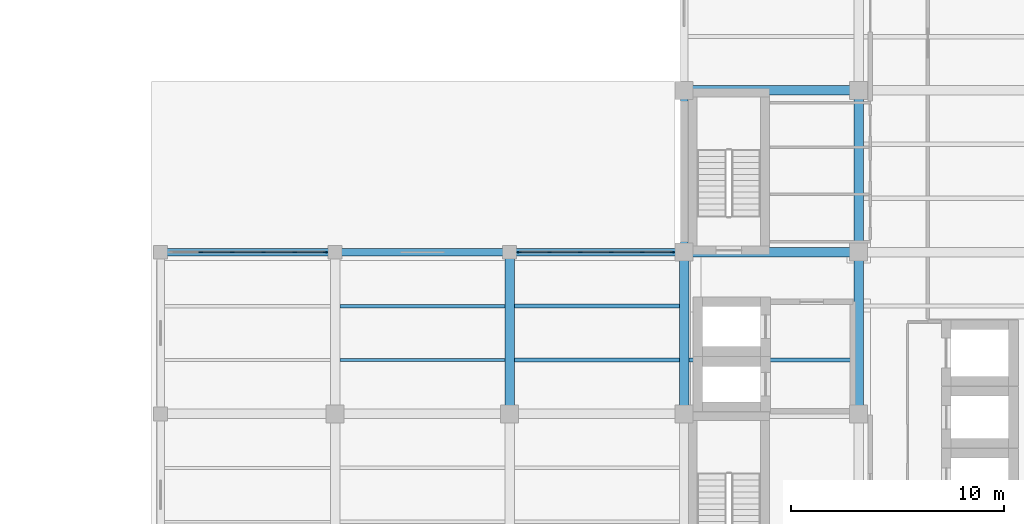
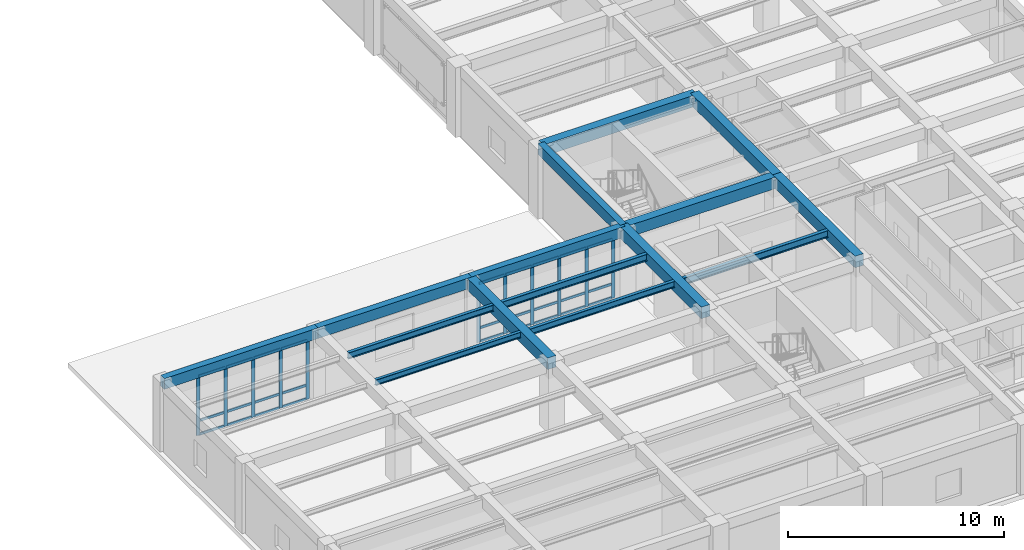
# One storey, part 4 of 22: 38 members, 15 beams, 2 elements without a shape of their own.
"""IFC4 building model written with IfcOpenShell, lengths in metres."""

from ifc_helpers import new_model, si_unit, direction, frame, origin, origin_2d, place, context, subcontext, project, spatial, rectangle, i_section, extrude, material, material_profile, profile_set, type_object, element, aggregate, save


model = new_model("IFC4")

# Units and contexts
model_context = context("Model", 3, precision=1e-05, world=origin(), true_north=direction((0.0, 1.0)))
body_context = subcontext(model_context, "Body", "Model", "MODEL_VIEW")
ifc_project = project(units=[si_unit("LENGTHUNIT", "METRE"), si_unit("AREAUNIT", "SQUARE_METRE"), si_unit("VOLUMEUNIT", "CUBIC_METRE"), si_unit("PLANEANGLEUNIT", "RADIAN"), si_unit("MASSUNIT", "GRAM", prefix="KILO")], contexts=[model_context])

# Site, building, storey
site_placement = place(None, origin())
site = spatial("IfcSite", under=ifc_project, at=site_placement, CompositionType="ELEMENT")
building_placement = place(site_placement, origin())
building = spatial("IfcBuilding", under=site, at=building_placement, Name="Qandaris Square Conservatory and Botanical Centre", CompositionType="ELEMENT")
storey_placement = place(building_placement, frame((0.0, 0.0, 19.800048828125)))
storey = spatial("IfcBuildingStorey", under=building, at=storey_placement, Name="L04", CompositionType="ELEMENT", Elevation=19.800048828125)

# Beams
ifc_material_1 = material(Name="Steel S355", Category="steel")
ifc_material_profile_1 = material_profile(ifc_material_1, i_section(OverallWidth=0.159912109375, OverallDepth=0.330078125, WebThickness=0.007568359375, FlangeThickness=0.011474609375, FilletRadius=0.01806640625, at=origin_2d()), Name="IPE 330")
ifc_profile_set_1 = profile_set([ifc_material_profile_1], Name="Steel S355")
beam_type_1 = type_object("IfcBeamType", Name="Composite Lab Joist IPE 330", PredefinedType="JOIST", material=ifc_profile_set_1)
beam_1_placement = place(storey_placement, frame((123.02490234375, 34.333251953125, 3.764892578125), z_axis=(1.0, 0.0, 0.0), x_axis=(0.0, 1.0, 0.0)))
element("IfcBeam", 1, at=beam_1_placement, inside=storey, type_object=beam_type_1, Name="L04 Composite Joist 1777", PredefinedType="JOIST", context=body_context, shape_type="SweptSolid", body=[
    extrude(i_section(OverallWidth=0.159912109375, OverallDepth=0.330078125, WebThickness=0.007568359375, FlangeThickness=0.011474609375, FilletRadius=0.01806640625, at=origin_2d()), origin(), (0.0, 0.0, 1.0), 7.75),
])
ifc_material_profile_2 = material_profile(ifc_material_1, i_section(OverallWidth=0.169921875, OverallDepth=0.360107421875, WebThickness=0.008056640625, FlangeThickness=0.0126953125, FilletRadius=0.01806640625, at=origin_2d()), Name="IPE 360")
ifc_profile_set_2 = profile_set([ifc_material_profile_2], Name="Steel S355")
beam_type_2 = type_object("IfcBeamType", Name="Composite Lab Joist IPE 360", PredefinedType="JOIST", material=ifc_profile_set_2)
for number, where, z_axis, x_axis, name in (
    (2, (123.02490234375, 36.86669921875, 3.75), (1.0, 0.0, 0.0), (0.0, 1.0, 0.0), "L04 Composite Joist 1778"),
    (3, (131.22509765625, 34.333251953125, 3.75), (1.0, 0.0, 0.0), (0.0, 1.0, 0.0), "L04 Composite Joist 1783"),
):
    element("IfcBeam", number, at=place(storey_placement, frame(where, z_axis=z_axis, x_axis=x_axis)), inside=storey, type_object=beam_type_2, Name=name, PredefinedType="JOIST", context=body_context, shape_type="SweptSolid", body=[
        extrude(i_section(OverallWidth=0.169921875, OverallDepth=0.360107421875, WebThickness=0.008056640625, FlangeThickness=0.0126953125, FilletRadius=0.01806640625, at=origin_2d()), origin(), (0.0, 0.0, 1.0), 7.75),
    ])
ifc_material_profile_3 = material_profile(ifc_material_1, i_section(OverallWidth=0.179931640625, OverallDepth=0.39990234375, WebThickness=0.008544921875, FlangeThickness=0.013427734375, FilletRadius=0.02099609375, at=origin_2d()), Name="IPE 400")
ifc_profile_set_3 = profile_set([ifc_material_profile_3], Name="Steel S355")
beam_type_3 = type_object("IfcBeamType", Name="Composite Plinth Joist IPE 400", PredefinedType="JOIST", material=ifc_profile_set_3)
for number, where, z_axis, x_axis, name in (
    (4, (131.22509765625, 36.86669921875, 3.72998046875), (1.0, 0.0, 0.0), (0.0, 1.0, 0.0), "L04 Composite Joist 1784"),
    (5, (139.425048828125, 34.333251953125, 3.72998046875), (1.0, 0.0, 0.0), (0.0, 1.0, 0.0), "L04 Composite Joist 1787"),
):
    element("IfcBeam", number, at=place(storey_placement, frame(where, z_axis=z_axis, x_axis=x_axis)), inside=storey, type_object=beam_type_3, Name=name, PredefinedType="JOIST", context=body_context, shape_type="SweptSolid", body=[
        extrude(i_section(OverallWidth=0.179931640625, OverallDepth=0.39990234375, WebThickness=0.008544921875, FlangeThickness=0.013427734375, FilletRadius=0.02099609375, at=origin_2d()), origin(), (0.0, 0.0, 1.0), 7.75),
    ])

# Curtain wall, members
ifc_material_2 = material(Name="Anodised Aluminium", Category="aluminium")
curtain_wall_type_1 = type_object("IfcCurtainWallType", Name="Unitised Curtain Wall CW-4-725x334", PredefinedType="USERDEFINED", material=ifc_material_2)
curtain_wall_1_placement = place(storey_placement, origin())
curtain_wall_1 = element("IfcCurtainWall", 6, at=curtain_wall_1_placement, inside=storey, type_object=curtain_wall_type_1, Name="Curtain Wall CW-TWR-L04-5-1", ObjectType="GLAZED CURTAIN WALL", PredefinedType="USERDEFINED")
ifc_material_profile_4 = material_profile(ifc_material_2, rectangle(XDim=0.06494140625, YDim=0.179931640625, at=origin_2d()), Name="ALU-MUL 65x180")
ifc_profile_set_4 = profile_set([ifc_material_profile_4], Name="Anodised Aluminium")
member_type_1 = type_object("IfcMemberType", Name="Curtain Wall Mullion 65x180", PredefinedType="MULLION", material=ifc_profile_set_4)
member_1_placement = place(storey_placement, frame((138.642578125, 39.39990234375, 0.0), z_axis=(0.0, 0.0, 1.0), x_axis=(0.0, -1.0, 0.0)))
member_1 = element("IfcMember", 7, at=member_1_placement, type_object=member_type_1, Name="CW-4-725x334 mullion 1", PredefinedType="MULLION", context=body_context, shape_type="SweptSolid", body=[
    extrude(rectangle(XDim=0.06494140625, YDim=0.179931640625, at=origin_2d()), origin(), (0.0, 0.0, 1.0), 3.33984375),
])
member_2_placement = place(storey_placement, frame((137.22509765625, 39.39990234375, 0.0), z_axis=(0.0, 0.0, 1.0), x_axis=(0.0, -1.0, 0.0)))
member_2 = element("IfcMember", 8, at=member_2_placement, type_object=member_type_1, Name="CW-4-725x334 mullion 2", PredefinedType="MULLION", context=body_context, shape_type="SweptSolid", body=[
    extrude(rectangle(XDim=0.06494140625, YDim=0.179931640625, at=origin_2d()), origin(), (0.0, 0.0, 1.0), 3.33984375),
])
member_3_placement = place(storey_placement, frame((135.77490234375, 39.39990234375, 0.0), z_axis=(0.0, 0.0, 1.0), x_axis=(0.0, -1.0, 0.0)))
member_3 = element("IfcMember", 9, at=member_3_placement, type_object=member_type_1, Name="CW-4-725x334 mullion 3", PredefinedType="MULLION", context=body_context, shape_type="SweptSolid", body=[
    extrude(rectangle(XDim=0.06494140625, YDim=0.179931640625, at=origin_2d()), origin(), (0.0, 0.0, 1.0), 3.33984375),
])
member_4_placement = place(storey_placement, frame((134.324951171875, 39.39990234375, 0.0), z_axis=(0.0, 0.0, 1.0), x_axis=(0.0, -1.0, 0.0)))
member_4 = element("IfcMember", 10, at=member_4_placement, type_object=member_type_1, Name="CW-4-725x334 mullion 4", PredefinedType="MULLION", context=body_context, shape_type="SweptSolid", body=[
    extrude(rectangle(XDim=0.06494140625, YDim=0.179931640625, at=origin_2d()), origin(), (0.0, 0.0, 1.0), 3.33984375),
])
member_5_placement = place(storey_placement, frame((132.875, 39.39990234375, 0.0), z_axis=(0.0, 0.0, 1.0), x_axis=(0.0, -1.0, 0.0)))
member_5 = element("IfcMember", 11, at=member_5_placement, type_object=member_type_1, Name="CW-4-725x334 mullion 5", PredefinedType="MULLION", context=body_context, shape_type="SweptSolid", body=[
    extrude(rectangle(XDim=0.06494140625, YDim=0.179931640625, at=origin_2d()), origin(), (0.0, 0.0, 1.0), 3.33984375),
])
member_6_placement = place(storey_placement, frame((131.45751953125, 39.39990234375, 0.0), z_axis=(0.0, 0.0, 1.0), x_axis=(0.0, -1.0, 0.0)))
member_6 = element("IfcMember", 12, at=member_6_placement, type_object=member_type_1, Name="CW-4-725x334 mullion 6", PredefinedType="MULLION", context=body_context, shape_type="SweptSolid", body=[
    extrude(rectangle(XDim=0.06494140625, YDim=0.179931640625, at=origin_2d()), origin(), (0.0, 0.0, 1.0), 3.33984375),
])

curtain_wall_type_2 = type_object("IfcCurtainWallType", Name="Unitised Curtain Wall CW-4-735x334", PredefinedType="USERDEFINED", material=ifc_material_2)
curtain_wall_2_placement = place(storey_placement, origin())
curtain_wall_2 = element("IfcCurtainWall", 13, at=curtain_wall_2_placement, inside=storey, type_object=curtain_wall_type_2, Name="Curtain Wall CW-TWR-L04-5-3", ObjectType="GLAZED CURTAIN WALL", PredefinedType="USERDEFINED")
member_7_placement = place(storey_placement, frame((122.342529296875, 39.39990234375, 0.0), z_axis=(0.0, 0.0, 1.0), x_axis=(0.0, -1.0, 0.0)))
member_7 = element("IfcMember", 14, at=member_7_placement, type_object=member_type_1, Name="CW-4-735x334 mullion 1", PredefinedType="MULLION", context=body_context, shape_type="SweptSolid", body=[
    extrude(rectangle(XDim=0.06494140625, YDim=0.179931640625, at=origin_2d()), origin(), (0.0, 0.0, 1.0), 3.33984375),
])
member_8_placement = place(storey_placement, frame((120.905029296875, 39.39990234375, 0.0), z_axis=(0.0, 0.0, 1.0), x_axis=(0.0, -1.0, 0.0)))
member_8 = element("IfcMember", 15, at=member_8_placement, type_object=member_type_1, Name="CW-4-735x334 mullion 2", PredefinedType="MULLION", context=body_context, shape_type="SweptSolid", body=[
    extrude(rectangle(XDim=0.06494140625, YDim=0.179931640625, at=origin_2d()), origin(), (0.0, 0.0, 1.0), 3.33984375),
])
member_9_placement = place(storey_placement, frame((119.43505859375, 39.39990234375, 0.0), z_axis=(0.0, 0.0, 1.0), x_axis=(0.0, -1.0, 0.0)))
member_9 = element("IfcMember", 16, at=member_9_placement, type_object=member_type_1, Name="CW-4-735x334 mullion 3", PredefinedType="MULLION", context=body_context, shape_type="SweptSolid", body=[
    extrude(rectangle(XDim=0.06494140625, YDim=0.179931640625, at=origin_2d()), origin(), (0.0, 0.0, 1.0), 3.33984375),
])
member_10_placement = place(storey_placement, frame((117.965087890625, 39.39990234375, 0.0), z_axis=(0.0, 0.0, 1.0), x_axis=(0.0, -1.0, 0.0)))
member_10 = element("IfcMember", 17, at=member_10_placement, type_object=member_type_1, Name="CW-4-735x334 mullion 4", PredefinedType="MULLION", context=body_context, shape_type="SweptSolid", body=[
    extrude(rectangle(XDim=0.06494140625, YDim=0.179931640625, at=origin_2d()), origin(), (0.0, 0.0, 1.0), 3.33984375),
])
member_11_placement = place(storey_placement, frame((116.4951171875, 39.39990234375, 0.0), z_axis=(0.0, 0.0, 1.0), x_axis=(0.0, -1.0, 0.0)))
member_11 = element("IfcMember", 18, at=member_11_placement, type_object=member_type_1, Name="CW-4-735x334 mullion 5", PredefinedType="MULLION", context=body_context, shape_type="SweptSolid", body=[
    extrude(rectangle(XDim=0.06494140625, YDim=0.179931640625, at=origin_2d()), origin(), (0.0, 0.0, 1.0), 3.33984375),
])

# Member
ifc_material_profile_5 = material_profile(ifc_material_2, rectangle(XDim=0.06494140625, YDim=0.139892578125, at=origin_2d()), Name="ALU-TRN 65x140")
ifc_profile_set_5 = profile_set([ifc_material_profile_5], Name="Anodised Aluminium")
member_type_2 = type_object("IfcMemberType", Name="Curtain Wall Transom 65x140", PredefinedType="USERDEFINED", material=ifc_profile_set_5)
member_12_placement = place(storey_placement, frame((138.610107421875, 39.39990234375, 0.032470703125), z_axis=(-1.0, 0.0, 0.0), x_axis=(0.0, -1.0, 0.0)))
member_12 = element("IfcMember", 19, at=member_12_placement, type_object=member_type_2, Name="CW-4-725x334 transom 1.1", ObjectType="TRANSOM", PredefinedType="USERDEFINED", context=body_context, shape_type="SweptSolid", body=[
    extrude(rectangle(XDim=0.06494140625, YDim=0.139892578125, at=origin_2d()), origin(), (0.0, 0.0, 1.0), 1.3525390625),
])

member_13_placement = place(storey_placement, frame((138.610107421875, 39.39990234375, 0.801513671875), z_axis=(-1.0, 0.0, 0.0), x_axis=(0.0, -1.0, 0.0)))
member_13 = element("IfcMember", 20, at=member_13_placement, type_object=member_type_2, Name="CW-4-725x334 transom 1.2", ObjectType="TRANSOM", PredefinedType="USERDEFINED", context=body_context, shape_type="SweptSolid", body=[
    extrude(rectangle(XDim=0.06494140625, YDim=0.139892578125, at=origin_2d()), origin(), (0.0, 0.0, 1.0), 1.3525390625),
])

member_14_placement = place(storey_placement, frame((138.610107421875, 39.39990234375, 3.307373046875), z_axis=(-1.0, 0.0, 0.0), x_axis=(0.0, -1.0, 0.0)))
member_14 = element("IfcMember", 21, at=member_14_placement, type_object=member_type_2, Name="CW-4-725x334 transom 1.3", ObjectType="TRANSOM", PredefinedType="USERDEFINED", context=body_context, shape_type="SweptSolid", body=[
    extrude(rectangle(XDim=0.06494140625, YDim=0.139892578125, at=origin_2d()), origin(), (0.0, 0.0, 1.0), 1.3525390625),
])

member_15_placement = place(storey_placement, frame((137.1923828125, 39.39990234375, 0.032470703125), z_axis=(-1.0, 0.0, 0.0), x_axis=(0.0, -1.0, 0.0)))
member_15 = element("IfcMember", 22, at=member_15_placement, type_object=member_type_2, Name="CW-4-725x334 transom 2.1", ObjectType="TRANSOM", PredefinedType="USERDEFINED", context=body_context, shape_type="SweptSolid", body=[
    extrude(rectangle(XDim=0.06494140625, YDim=0.139892578125, at=origin_2d()), origin(), (0.0, 0.0, 1.0), 1.384765625),
])

member_16_placement = place(storey_placement, frame((137.1923828125, 39.39990234375, 0.801513671875), z_axis=(-1.0, 0.0, 0.0), x_axis=(0.0, -1.0, 0.0)))
member_16 = element("IfcMember", 23, at=member_16_placement, type_object=member_type_2, Name="CW-4-725x334 transom 2.2", ObjectType="TRANSOM", PredefinedType="USERDEFINED", context=body_context, shape_type="SweptSolid", body=[
    extrude(rectangle(XDim=0.06494140625, YDim=0.139892578125, at=origin_2d()), origin(), (0.0, 0.0, 1.0), 1.384765625),
])

member_17_placement = place(storey_placement, frame((137.1923828125, 39.39990234375, 3.307373046875), z_axis=(-1.0, 0.0, 0.0), x_axis=(0.0, -1.0, 0.0)))
member_17 = element("IfcMember", 24, at=member_17_placement, type_object=member_type_2, Name="CW-4-725x334 transom 2.3", ObjectType="TRANSOM", PredefinedType="USERDEFINED", context=body_context, shape_type="SweptSolid", body=[
    extrude(rectangle(XDim=0.06494140625, YDim=0.139892578125, at=origin_2d()), origin(), (0.0, 0.0, 1.0), 1.384765625),
])

member_18_placement = place(storey_placement, frame((135.742431640625, 39.39990234375, 0.032470703125), z_axis=(-1.0, 0.0, 0.0), x_axis=(0.0, -1.0, 0.0)))
member_18 = element("IfcMember", 25, at=member_18_placement, type_object=member_type_2, Name="CW-4-725x334 transom 3.1", ObjectType="TRANSOM", PredefinedType="USERDEFINED", context=body_context, shape_type="SweptSolid", body=[
    extrude(rectangle(XDim=0.06494140625, YDim=0.139892578125, at=origin_2d()), origin(), (0.0, 0.0, 1.0), 1.385009765625),
])

member_19_placement = place(storey_placement, frame((135.742431640625, 39.39990234375, 0.801513671875), z_axis=(-1.0, 0.0, 0.0), x_axis=(0.0, -1.0, 0.0)))
member_19 = element("IfcMember", 26, at=member_19_placement, type_object=member_type_2, Name="CW-4-725x334 transom 3.2", ObjectType="TRANSOM", PredefinedType="USERDEFINED", context=body_context, shape_type="SweptSolid", body=[
    extrude(rectangle(XDim=0.06494140625, YDim=0.139892578125, at=origin_2d()), origin(), (0.0, 0.0, 1.0), 1.385009765625),
])

member_20_placement = place(storey_placement, frame((135.742431640625, 39.39990234375, 3.307373046875), z_axis=(-1.0, 0.0, 0.0), x_axis=(0.0, -1.0, 0.0)))
member_20 = element("IfcMember", 27, at=member_20_placement, type_object=member_type_2, Name="CW-4-725x334 transom 3.3", ObjectType="TRANSOM", PredefinedType="USERDEFINED", context=body_context, shape_type="SweptSolid", body=[
    extrude(rectangle(XDim=0.06494140625, YDim=0.139892578125, at=origin_2d()), origin(), (0.0, 0.0, 1.0), 1.385009765625),
])

member_21_placement = place(storey_placement, frame((134.29248046875, 39.39990234375, 0.032470703125), z_axis=(-1.0, 0.0, 0.0), x_axis=(0.0, -1.0, 0.0)))
member_21 = element("IfcMember", 28, at=member_21_placement, type_object=member_type_2, Name="CW-4-725x334 transom 4.1", ObjectType="TRANSOM", PredefinedType="USERDEFINED", context=body_context, shape_type="SweptSolid", body=[
    extrude(rectangle(XDim=0.06494140625, YDim=0.139892578125, at=origin_2d()), origin(), (0.0, 0.0, 1.0), 1.385009765625),
])

member_22_placement = place(storey_placement, frame((134.29248046875, 39.39990234375, 0.801513671875), z_axis=(-1.0, 0.0, 0.0), x_axis=(0.0, -1.0, 0.0)))
member_22 = element("IfcMember", 29, at=member_22_placement, type_object=member_type_2, Name="CW-4-725x334 transom 4.2", ObjectType="TRANSOM", PredefinedType="USERDEFINED", context=body_context, shape_type="SweptSolid", body=[
    extrude(rectangle(XDim=0.06494140625, YDim=0.139892578125, at=origin_2d()), origin(), (0.0, 0.0, 1.0), 1.385009765625),
])

member_23_placement = place(storey_placement, frame((134.29248046875, 39.39990234375, 3.307373046875), z_axis=(-1.0, 0.0, 0.0), x_axis=(0.0, -1.0, 0.0)))
member_23 = element("IfcMember", 30, at=member_23_placement, type_object=member_type_2, Name="CW-4-725x334 transom 4.3", ObjectType="TRANSOM", PredefinedType="USERDEFINED", context=body_context, shape_type="SweptSolid", body=[
    extrude(rectangle(XDim=0.06494140625, YDim=0.139892578125, at=origin_2d()), origin(), (0.0, 0.0, 1.0), 1.385009765625),
])

member_24_placement = place(storey_placement, frame((132.842529296875, 39.39990234375, 0.032470703125), z_axis=(-1.0, 0.0, 0.0), x_axis=(0.0, -1.0, 0.0)))
member_24 = element("IfcMember", 31, at=member_24_placement, type_object=member_type_2, Name="CW-4-725x334 transom 5.1", ObjectType="TRANSOM", PredefinedType="USERDEFINED", context=body_context, shape_type="SweptSolid", body=[
    extrude(rectangle(XDim=0.06494140625, YDim=0.139892578125, at=origin_2d()), origin(), (0.0, 0.0, 1.0), 1.3525390625),
])

member_25_placement = place(storey_placement, frame((132.842529296875, 39.39990234375, 0.801513671875), z_axis=(-1.0, 0.0, 0.0), x_axis=(0.0, -1.0, 0.0)))
member_25 = element("IfcMember", 32, at=member_25_placement, type_object=member_type_2, Name="CW-4-725x334 transom 5.2", ObjectType="TRANSOM", PredefinedType="USERDEFINED", context=body_context, shape_type="SweptSolid", body=[
    extrude(rectangle(XDim=0.06494140625, YDim=0.139892578125, at=origin_2d()), origin(), (0.0, 0.0, 1.0), 1.3525390625),
])

member_26_placement = place(storey_placement, frame((132.842529296875, 39.39990234375, 3.307373046875), z_axis=(-1.0, 0.0, 0.0), x_axis=(0.0, -1.0, 0.0)))
member_26 = element("IfcMember", 33, at=member_26_placement, type_object=member_type_2, Name="CW-4-725x334 transom 5.3", ObjectType="TRANSOM", PredefinedType="USERDEFINED", context=body_context, shape_type="SweptSolid", body=[
    extrude(rectangle(XDim=0.06494140625, YDim=0.139892578125, at=origin_2d()), origin(), (0.0, 0.0, 1.0), 1.3525390625),
])

aggregate(curtain_wall_1, [member_1, member_2, member_3, member_4, member_5, member_6, member_12, member_13, member_14, member_15, member_16, member_17, member_18, member_19, member_20, member_21, member_22, member_23, member_24, member_25, member_26])

member_27_placement = place(storey_placement, frame((122.31005859375, 39.39990234375, 0.032470703125), z_axis=(-1.0, 0.0, 0.0), x_axis=(0.0, -1.0, 0.0)))
member_27 = element("IfcMember", 34, at=member_27_placement, type_object=member_type_2, Name="CW-4-735x334 transom 1.1", ObjectType="TRANSOM", PredefinedType="USERDEFINED", context=body_context, shape_type="SweptSolid", body=[
    extrude(rectangle(XDim=0.06494140625, YDim=0.139892578125, at=origin_2d()), origin(), (0.0, 0.0, 1.0), 1.37255859375),
])

member_28_placement = place(storey_placement, frame((122.31005859375, 39.39990234375, 0.801513671875), z_axis=(-1.0, 0.0, 0.0), x_axis=(0.0, -1.0, 0.0)))
member_28 = element("IfcMember", 35, at=member_28_placement, type_object=member_type_2, Name="CW-4-735x334 transom 1.2", ObjectType="TRANSOM", PredefinedType="USERDEFINED", context=body_context, shape_type="SweptSolid", body=[
    extrude(rectangle(XDim=0.06494140625, YDim=0.139892578125, at=origin_2d()), origin(), (0.0, 0.0, 1.0), 1.37255859375),
])

member_29_placement = place(storey_placement, frame((122.31005859375, 39.39990234375, 3.307373046875), z_axis=(-1.0, 0.0, 0.0), x_axis=(0.0, -1.0, 0.0)))
member_29 = element("IfcMember", 36, at=member_29_placement, type_object=member_type_2, Name="CW-4-735x334 transom 1.3", ObjectType="TRANSOM", PredefinedType="USERDEFINED", context=body_context, shape_type="SweptSolid", body=[
    extrude(rectangle(XDim=0.06494140625, YDim=0.139892578125, at=origin_2d()), origin(), (0.0, 0.0, 1.0), 1.37255859375),
])

member_30_placement = place(storey_placement, frame((120.87255859375, 39.39990234375, 0.032470703125), z_axis=(-1.0, 0.0, 0.0), x_axis=(0.0, -1.0, 0.0)))
member_30 = element("IfcMember", 37, at=member_30_placement, type_object=member_type_2, Name="CW-4-735x334 transom 2.1", ObjectType="TRANSOM", PredefinedType="USERDEFINED", context=body_context, shape_type="SweptSolid", body=[
    extrude(rectangle(XDim=0.06494140625, YDim=0.139892578125, at=origin_2d()), origin(), (0.0, 0.0, 1.0), 1.405029296875),
])

member_31_placement = place(storey_placement, frame((120.87255859375, 39.39990234375, 0.801513671875), z_axis=(-1.0, 0.0, 0.0), x_axis=(0.0, -1.0, 0.0)))
member_31 = element("IfcMember", 38, at=member_31_placement, type_object=member_type_2, Name="CW-4-735x334 transom 2.2", ObjectType="TRANSOM", PredefinedType="USERDEFINED", context=body_context, shape_type="SweptSolid", body=[
    extrude(rectangle(XDim=0.06494140625, YDim=0.139892578125, at=origin_2d()), origin(), (0.0, 0.0, 1.0), 1.405029296875),
])

member_32_placement = place(storey_placement, frame((120.87255859375, 39.39990234375, 3.307373046875), z_axis=(-1.0, 0.0, 0.0), x_axis=(0.0, -1.0, 0.0)))
member_32 = element("IfcMember", 39, at=member_32_placement, type_object=member_type_2, Name="CW-4-735x334 transom 2.3", ObjectType="TRANSOM", PredefinedType="USERDEFINED", context=body_context, shape_type="SweptSolid", body=[
    extrude(rectangle(XDim=0.06494140625, YDim=0.139892578125, at=origin_2d()), origin(), (0.0, 0.0, 1.0), 1.405029296875),
])

member_33_placement = place(storey_placement, frame((119.402587890625, 39.39990234375, 0.032470703125), z_axis=(-1.0, 0.0, 0.0), x_axis=(0.0, -1.0, 0.0)))
member_33 = element("IfcMember", 40, at=member_33_placement, type_object=member_type_2, Name="CW-4-735x334 transom 3.1", ObjectType="TRANSOM", PredefinedType="USERDEFINED", context=body_context, shape_type="SweptSolid", body=[
    extrude(rectangle(XDim=0.06494140625, YDim=0.139892578125, at=origin_2d()), origin(), (0.0, 0.0, 1.0), 1.405029296875),
])

member_34_placement = place(storey_placement, frame((119.402587890625, 39.39990234375, 0.801513671875), z_axis=(-1.0, 0.0, 0.0), x_axis=(0.0, -1.0, 0.0)))
member_34 = element("IfcMember", 41, at=member_34_placement, type_object=member_type_2, Name="CW-4-735x334 transom 3.2", ObjectType="TRANSOM", PredefinedType="USERDEFINED", context=body_context, shape_type="SweptSolid", body=[
    extrude(rectangle(XDim=0.06494140625, YDim=0.139892578125, at=origin_2d()), origin(), (0.0, 0.0, 1.0), 1.405029296875),
])

member_35_placement = place(storey_placement, frame((119.402587890625, 39.39990234375, 3.307373046875), z_axis=(-1.0, 0.0, 0.0), x_axis=(0.0, -1.0, 0.0)))
member_35 = element("IfcMember", 42, at=member_35_placement, type_object=member_type_2, Name="CW-4-735x334 transom 3.3", ObjectType="TRANSOM", PredefinedType="USERDEFINED", context=body_context, shape_type="SweptSolid", body=[
    extrude(rectangle(XDim=0.06494140625, YDim=0.139892578125, at=origin_2d()), origin(), (0.0, 0.0, 1.0), 1.405029296875),
])

member_36_placement = place(storey_placement, frame((117.9326171875, 39.39990234375, 0.032470703125), z_axis=(-1.0, 0.0, 0.0), x_axis=(0.0, -1.0, 0.0)))
member_36 = element("IfcMember", 43, at=member_36_placement, type_object=member_type_2, Name="CW-4-735x334 transom 4.1", ObjectType="TRANSOM", PredefinedType="USERDEFINED", context=body_context, shape_type="SweptSolid", body=[
    extrude(rectangle(XDim=0.06494140625, YDim=0.139892578125, at=origin_2d()), origin(), (0.0, 0.0, 1.0), 1.405029296875),
])

member_37_placement = place(storey_placement, frame((117.9326171875, 39.39990234375, 0.801513671875), z_axis=(-1.0, 0.0, 0.0), x_axis=(0.0, -1.0, 0.0)))
member_37 = element("IfcMember", 44, at=member_37_placement, type_object=member_type_2, Name="CW-4-735x334 transom 4.2", ObjectType="TRANSOM", PredefinedType="USERDEFINED", context=body_context, shape_type="SweptSolid", body=[
    extrude(rectangle(XDim=0.06494140625, YDim=0.139892578125, at=origin_2d()), origin(), (0.0, 0.0, 1.0), 1.405029296875),
])

member_38_placement = place(storey_placement, frame((117.9326171875, 39.39990234375, 3.307373046875), z_axis=(-1.0, 0.0, 0.0), x_axis=(0.0, -1.0, 0.0)))
member_38 = element("IfcMember", 45, at=member_38_placement, type_object=member_type_2, Name="CW-4-735x334 transom 4.3", ObjectType="TRANSOM", PredefinedType="USERDEFINED", context=body_context, shape_type="SweptSolid", body=[
    extrude(rectangle(XDim=0.06494140625, YDim=0.139892578125, at=origin_2d()), origin(), (0.0, 0.0, 1.0), 1.405029296875),
])

aggregate(curtain_wall_2, [member_7, member_8, member_9, member_10, member_11, member_27, member_28, member_29, member_30, member_31, member_32, member_33, member_34, member_35, member_36, member_37, member_38])

# Beams
ifc_material_3 = material(Name="Concrete C50/60", Category="concrete")
ifc_material_profile_6 = material_profile(ifc_material_3, rectangle(XDim=0.35009765625, YDim=0.60009765625, at=origin_2d()), Name="RC-SP 350x600")
ifc_profile_set_6 = profile_set([ifc_material_profile_6], Name="Concrete C50/60")
beam_type_4 = type_object("IfcBeamType", Name="RC Edge Spandrel Beam 350x600", PredefinedType="SPANDREL", material=ifc_profile_set_6)
for number, where, z_axis, x_axis, name in (
    (46, (114.60009765625, 39.39990234375, 3.639892578125), (1.0, 0.0, 0.0), (0.0, 1.0, 0.0), "L04 Frame Beam 1706"),
    (47, (122.800048828125, 39.39990234375, 3.639892578125), (1.0, 0.0, 0.0), (0.0, 1.0, 0.0), "L04 Frame Beam 1707"),
    (48, (131.0, 39.39990234375, 3.639892578125), (1.0, 0.0, 0.0), (0.0, 1.0, 0.0), "L04 Frame Beam 1708"),
):
    element("IfcBeam", number, at=place(storey_placement, frame(where, z_axis=z_axis, x_axis=x_axis)), inside=storey, type_object=beam_type_4, Name=name, PredefinedType="SPANDREL", context=body_context, shape_type="SweptSolid", body=[
        extrude(rectangle(XDim=0.35009765625, YDim=0.60009765625, at=origin_2d()), origin(), (0.0, 0.0, 1.0), 8.199951171875),
    ])
beam_2_placement = place(storey_placement, frame((139.199951171875, 39.39990234375, 3.639892578125), z_axis=(0.0, 1.0, 0.0), x_axis=(-1.0, 0.0, 0.0)))
element("IfcBeam", 49, at=beam_2_placement, inside=storey, type_object=beam_type_4, Name="L04 Frame Beam 1738", PredefinedType="SPANDREL", context=body_context, shape_type="SweptSolid", body=[
    extrude(rectangle(XDim=0.35009765625, YDim=0.60009765625, at=origin_2d()), origin(), (0.0, 0.0, 1.0), 7.60009765625),
])
ifc_material_profile_7 = material_profile(ifc_material_3, rectangle(XDim=0.449951171875, YDim=0.64990234375, at=origin_2d()), Name="RC-BM 450x650")
ifc_profile_set_7 = profile_set([ifc_material_profile_7], Name="Concrete C50/60")
beam_type_5 = type_object("IfcBeamType", Name="RC Floor Girder 450x650", PredefinedType="BEAM", material=ifc_profile_set_7)
for number, where, z_axis, x_axis, name in (
    (50, (139.199951171875, 39.39990234375, 3.614990234375), (1.0, 0.0, 0.0), (0.0, 1.0, 0.0), "L04 Frame Beam 1709"),
    (51, (139.199951171875, 47.0, 3.614990234375), (1.0, 0.0, 0.0), (0.0, 1.0, 0.0), "L04 Frame Beam 1712"),
):
    element("IfcBeam", number, at=place(storey_placement, frame(where, z_axis=z_axis, x_axis=x_axis)), inside=storey, type_object=beam_type_5, Name=name, PredefinedType="BEAM", context=body_context, shape_type="SweptSolid", body=[
        extrude(rectangle(XDim=0.449951171875, YDim=0.64990234375, at=origin_2d()), origin(), (0.0, 0.0, 1.0), 8.199951171875),
    ])
for number, where, z_axis, x_axis, name in (
    (52, (131.0, 31.800048828125, 3.614990234375), (0.0, 1.0, 0.0), (-1.0, 0.0, 0.0), "L04 Frame Beam 1734"),
    (53, (139.199951171875, 31.800048828125, 3.614990234375), (0.0, 1.0, 0.0), (-1.0, 0.0, 0.0), "L04 Frame Beam 1737"),
    (54, (147.39990234375, 31.800048828125, 3.614990234375), (0.0, 1.0, 0.0), (-1.0, 0.0, 0.0), "L04 Frame Beam 1745"),
):
    element("IfcBeam", number, at=place(storey_placement, frame(where, z_axis=z_axis, x_axis=x_axis)), inside=storey, type_object=beam_type_5, Name=name, PredefinedType="BEAM", context=body_context, shape_type="SweptSolid", body=[
        extrude(rectangle(XDim=0.449951171875, YDim=0.64990234375, at=origin_2d()), origin(), (0.0, 0.0, 1.0), 7.599853515625),
    ])
beam_3_placement = place(storey_placement, frame((147.39990234375, 39.39990234375, 3.614990234375), z_axis=(0.0, 1.0, 0.0), x_axis=(-1.0, 0.0, 0.0)))
element("IfcBeam", 55, at=beam_3_placement, inside=storey, type_object=beam_type_5, Name="L04 Frame Beam 1746", PredefinedType="BEAM", context=body_context, shape_type="SweptSolid", body=[
    extrude(rectangle(XDim=0.449951171875, YDim=0.64990234375, at=origin_2d()), origin(), (0.0, 0.0, 1.0), 7.60009765625),
])

save(model, "model.ifc")
